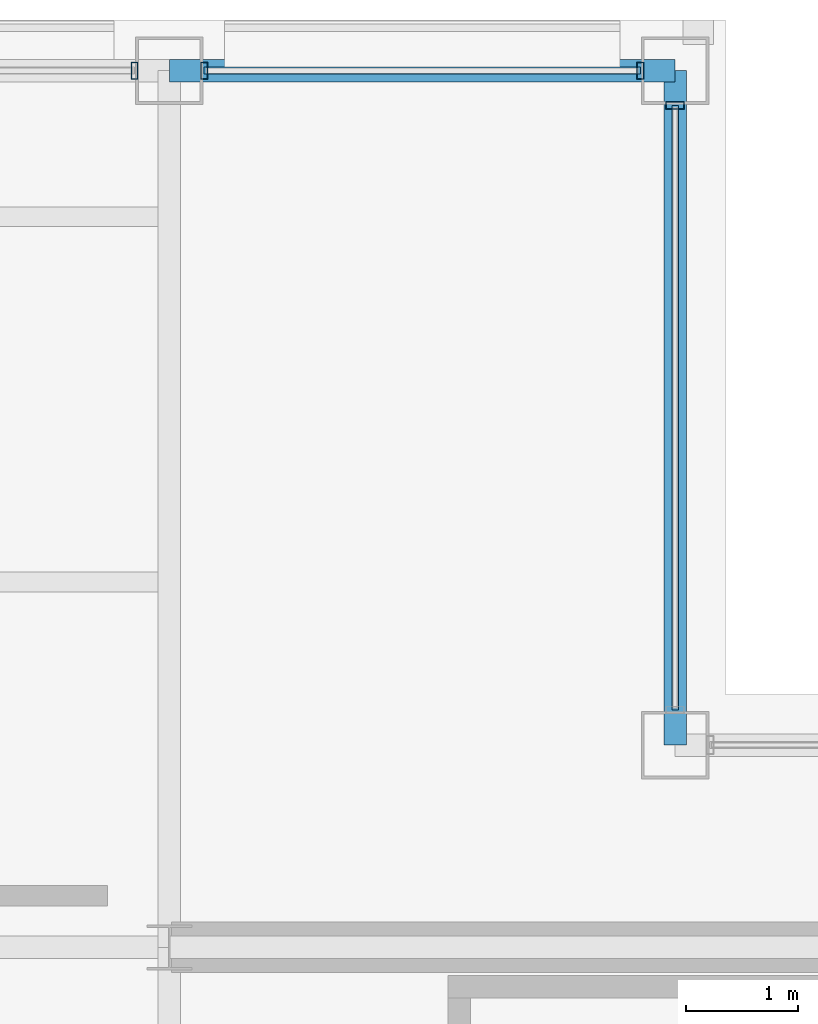
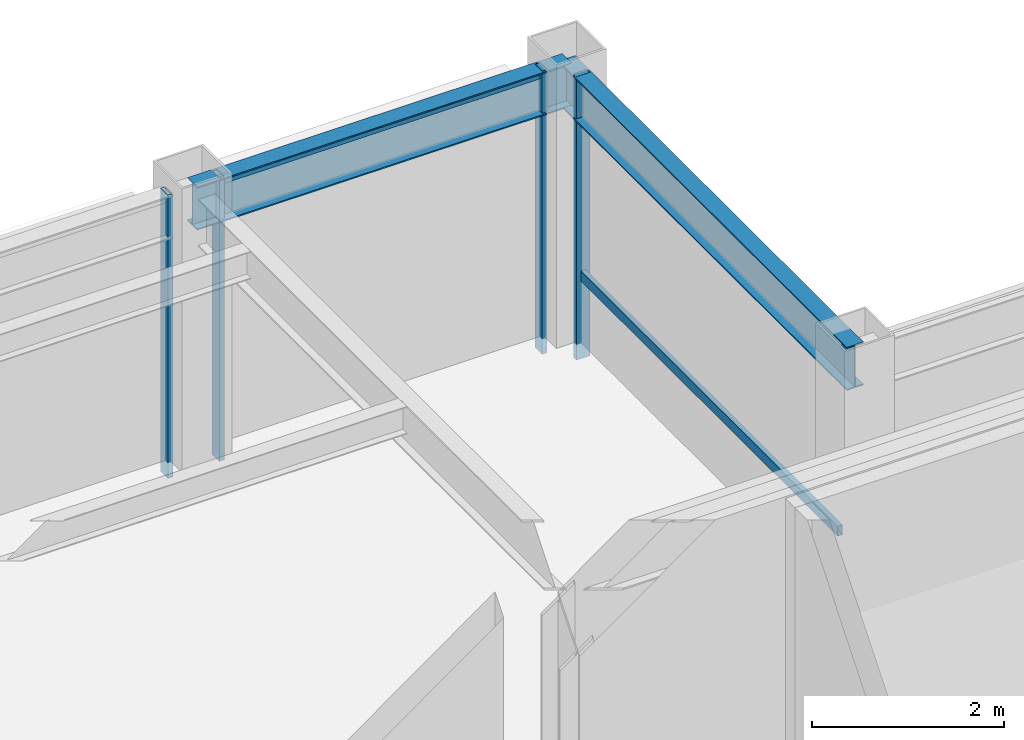
# One storey, part 20 of 27: 6 members, 2 beams, 3 elements without a shape of their own.
"""IFC4 building model written with IfcOpenShell, lengths in metres."""

from ifc_helpers import new_model, si_unit, direction, frame, origin, origin_2d, place, context, subcontext, project, spatial, hollow_rectangle, i_section, extrude, material, layer, layer_set, material_profile, profile_set, type_object, element, aggregate, save


model = new_model("IFC4")

# Units and contexts
model_context = context("Model", 3, precision=1e-05, world=origin(), true_north=direction((0.0, 1.0)))
body_context = subcontext(model_context, "Body", "Model", "MODEL_VIEW")
ifc_project = project(units=[si_unit("LENGTHUNIT", "METRE"), si_unit("AREAUNIT", "SQUARE_METRE"), si_unit("VOLUMEUNIT", "CUBIC_METRE"), si_unit("PLANEANGLEUNIT", "RADIAN"), si_unit("MASSUNIT", "GRAM", prefix="KILO")], contexts=[model_context])

# Site, building, storey
site_placement = place(None, origin())
site = spatial("IfcSite", under=ifc_project, at=site_placement, CompositionType="ELEMENT")
building_placement = place(site_placement, origin())
building = spatial("IfcBuilding", under=site, at=building_placement, Name="Brelmoor Portico Tower", CompositionType="ELEMENT")
storey_placement = place(building_placement, frame((0.0, 0.0, 250.800048828125)))
storey = spatial("IfcBuildingStorey", under=building, at=storey_placement, Name="L66", CompositionType="ELEMENT", Elevation=250.800048828125)

# Beams
ifc_material_1 = material(Name="Steel Q355B", Category="steel")
ifc_material_profile_1 = material_profile(ifc_material_1, i_section(OverallWidth=0.199951171875, OverallDepth=0.550048828125, WebThickness=0.010009765625, FlangeThickness=0.01611328125, at=origin_2d()), Name="HN 550x200x10x16")
ifc_profile_set_1 = profile_set([ifc_material_profile_1], Name="Steel Q355B")
beam_type = type_object("IfcBeamType", Name="BM-SP-550", PredefinedType="SPANDREL", material=ifc_profile_set_1)
beam_1_placement = place(storey_placement, frame((8.050048828125, 17.550048828125, 3.125), z_axis=(1.0, 0.0, 0.0), x_axis=(0.0, 1.0, 0.0)))
element("IfcBeam", 1, at=beam_1_placement, inside=storey, type_object=beam_type, Name="L66 Perimeter Spandrel Beam SP-10", PredefinedType="SPANDREL", context=body_context, shape_type="SweptSolid", body=[
    extrude(i_section(OverallWidth=0.199951171875, OverallDepth=0.550048828125, WebThickness=0.010009765625, FlangeThickness=0.01611328125, at=origin_2d()), origin(), (0.0, 0.0, 1.0), 4.5),
])
beam_2_placement = place(storey_placement, frame((12.550048828125, 11.550048828125, 3.125), z_axis=(0.0, 1.0, 0.0), x_axis=(-1.0, 0.0, 0.0)))
element("IfcBeam", 2, at=beam_2_placement, inside=storey, type_object=beam_type, Name="L66 Perimeter Spandrel Beam SP-17", PredefinedType="SPANDREL", context=body_context, shape_type="SweptSolid", body=[
    extrude(i_section(OverallWidth=0.199951171875, OverallDepth=0.550048828125, WebThickness=0.010009765625, FlangeThickness=0.01611328125, at=origin_2d()), origin(), (0.0, 0.0, 1.0), 6.0),
])

# Curtain wall, member
ifc_material_2 = material(Name="Anodised Aluminium Alloy 6063-T6", Category="aluminium")
ifc_layer_1 = layer(ifc_material_2, 0.179931640625)
ifc_layer_set_1 = layer_set([ifc_layer_1], Name="Anodised Aluminium Alloy 6063-T6")
curtain_wall_type_1 = type_object("IfcCurtainWallType", Name="CW-TOWER-Z4-XB", PredefinedType="NOTDEFINED", material=ifc_layer_set_1)
curtain_wall_1_placement = place(storey_placement, origin())
curtain_wall_1 = element("IfcCurtainWall", 3, at=curtain_wall_1_placement, inside=storey, type_object=curtain_wall_type_1, Name="L66 Curtain Wall CW-L66-02-2", PredefinedType="NOTDEFINED")
ifc_material_profile_2 = material_profile(ifc_material_2, hollow_rectangle(XDim=0.06005859375, YDim=0.14990234375, WallThickness=0.00390625, at=origin_2d()), Name="ALU MULLION 60x150")
ifc_profile_set_2 = profile_set([ifc_material_profile_2], Name="Anodised Aluminium Alloy 6063-T6")
member_type_1 = type_object("IfcMemberType", Name="MB-CW-MULL-150", PredefinedType="MULLION", material=ifc_profile_set_2)
member_1_placement = place(storey_placement, frame((7.739990234375, 17.550048828125, -0.199951171875), z_axis=(0.0, 0.0, 1.0), x_axis=(1.0, 0.0, 0.0)))
member_1 = element("IfcMember", 4, at=member_1_placement, type_object=member_type_1, Name="CW-L66-02-2 Mullion 01", PredefinedType="MULLION", context=body_context, shape_type="SweptSolid", body=[
    extrude(hollow_rectangle(XDim=0.06005859375, YDim=0.14990234375, WallThickness=0.00390625, at=origin_2d()), origin(), (0.0, 0.0, 1.0), 3.599853515625),
])
aggregate(curtain_wall_1, [member_1])

# Curtain wall, members
curtain_wall_2_placement = place(storey_placement, origin())
curtain_wall_2 = element("IfcCurtainWall", 5, at=curtain_wall_2_placement, inside=storey, type_object=curtain_wall_type_1, Name="L66 Curtain Wall CW-L66-02-3", PredefinedType="NOTDEFINED")
member_2_placement = place(storey_placement, frame((8.360107421875, 17.550048828125, -0.199951171875), z_axis=(0.0, 0.0, 1.0), x_axis=(1.0, 0.0, 0.0)))
member_2 = element("IfcMember", 6, at=member_2_placement, type_object=member_type_1, Name="CW-L66-02-3 Mullion 00", PredefinedType="MULLION", context=body_context, shape_type="SweptSolid", body=[
    extrude(hollow_rectangle(XDim=0.06005859375, YDim=0.14990234375, WallThickness=0.00390625, at=origin_2d()), origin(), (0.0, 0.0, 1.0), 3.599853515625),
])
member_3_placement = place(storey_placement, frame((12.239990234375, 17.550048828125, -0.199951171875), z_axis=(0.0, 0.0, 1.0), x_axis=(1.0, 0.0, 0.0)))
member_3 = element("IfcMember", 7, at=member_3_placement, type_object=member_type_1, Name="CW-L66-02-3 Mullion 01", PredefinedType="MULLION", context=body_context, shape_type="SweptSolid", body=[
    extrude(hollow_rectangle(XDim=0.06005859375, YDim=0.14990234375, WallThickness=0.00390625, at=origin_2d()), origin(), (0.0, 0.0, 1.0), 3.599853515625),
])

# Curtain wall, member
ifc_layer_2 = layer(ifc_material_2, 0.179931640625)
ifc_layer_set_2 = layer_set([ifc_layer_2], Name="Anodised Aluminium Alloy 6063-T6")
curtain_wall_type_2 = type_object("IfcCurtainWallType", Name="CW-NOTCH-CHAMFER", PredefinedType="NOTDEFINED", material=ifc_layer_set_2)
curtain_wall_3_placement = place(storey_placement, origin())
curtain_wall_3 = element("IfcCurtainWall", 8, at=curtain_wall_3_placement, inside=storey, type_object=curtain_wall_type_2, Name="L66 Curtain Wall CWN-L66-NEV", PredefinedType="NOTDEFINED")
ifc_material_profile_3 = material_profile(ifc_material_2, hollow_rectangle(XDim=0.06494140625, YDim=0.1650390625, WallThickness=0.00390625, at=origin_2d()), Name="ALU MULLION 65x165")
ifc_profile_set_3 = profile_set([ifc_material_profile_3], Name="Anodised Aluminium Alloy 6063-T6")
member_type_2 = type_object("IfcMemberType", Name="MB-CW-MULL-165", PredefinedType="MULLION", material=ifc_profile_set_3)
member_4_placement = place(storey_placement, frame((12.550048828125, 17.239990234375, -0.199951171875), z_axis=(0.0, 0.0, 1.0), x_axis=(0.0, 1.0, 0.0)))
member_4 = element("IfcMember", 9, at=member_4_placement, type_object=member_type_2, Name="CWN-L66-NEV Mullion 01", PredefinedType="MULLION", context=body_context, shape_type="SweptSolid", body=[
    extrude(hollow_rectangle(XDim=0.06494140625, YDim=0.1650390625, WallThickness=0.00390625, at=origin_2d()), origin(), (0.0, 0.0, 1.0), 3.599853515625),
])

# Member
ifc_material_profile_4 = material_profile(ifc_material_2, hollow_rectangle(XDim=0.06005859375, YDim=0.125, WallThickness=0.00341796875, at=origin_2d()), Name="ALU TRANSOM 60x125")
ifc_profile_set_4 = profile_set([ifc_material_profile_4], Name="Anodised Aluminium Alloy 6063-T6")
member_type_3 = type_object("IfcMemberType", Name="MB-CW-TRAN-125", PredefinedType="USERDEFINED", material=ifc_profile_set_4)
member_5_placement = place(storey_placement, frame((8.360107421875, 17.550048828125, 3.33740234375), z_axis=(1.0, 0.0, 0.0), x_axis=(0.0, 1.0, 0.0)))
member_5 = element("IfcMember", 10, at=member_5_placement, type_object=member_type_3, Name="CW-L66-02-3 Transom 1-00", ObjectType="TRANSOM", PredefinedType="USERDEFINED", context=body_context, shape_type="SweptSolid", body=[
    extrude(hollow_rectangle(XDim=0.06005859375, YDim=0.125, WallThickness=0.00341796875, at=origin_2d()), origin(), (0.0, 0.0, 1.0), 3.8798828125),
])

aggregate(curtain_wall_2, [member_2, member_3, member_5])

member_6_placement = place(storey_placement, frame((12.550048828125, 11.860107421875, 0.849853515625), z_axis=(0.0, 1.0, 0.0), x_axis=(-1.0, 0.0, 0.0)))
member_6 = element("IfcMember", 11, at=member_6_placement, type_object=member_type_3, Name="CWN-L66-NEV Transom 1-00", ObjectType="TRANSOM", PredefinedType="USERDEFINED", context=body_context, shape_type="SweptSolid", body=[
    extrude(hollow_rectangle(XDim=0.06005859375, YDim=0.125, WallThickness=0.00341796875, at=origin_2d()), origin(), (0.0, 0.0, 1.0), 5.3798828125),
])

aggregate(curtain_wall_3, [member_4, member_6])

save(model, "model.ifc")
